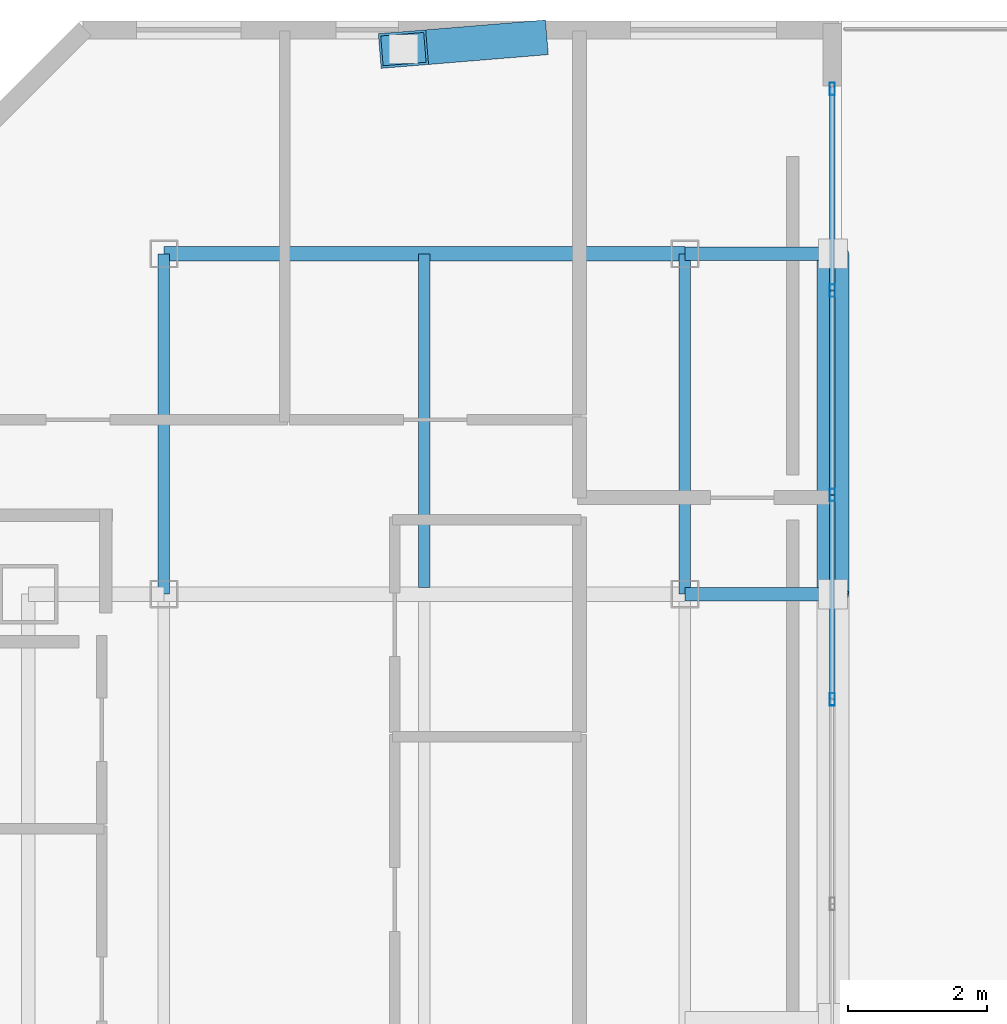
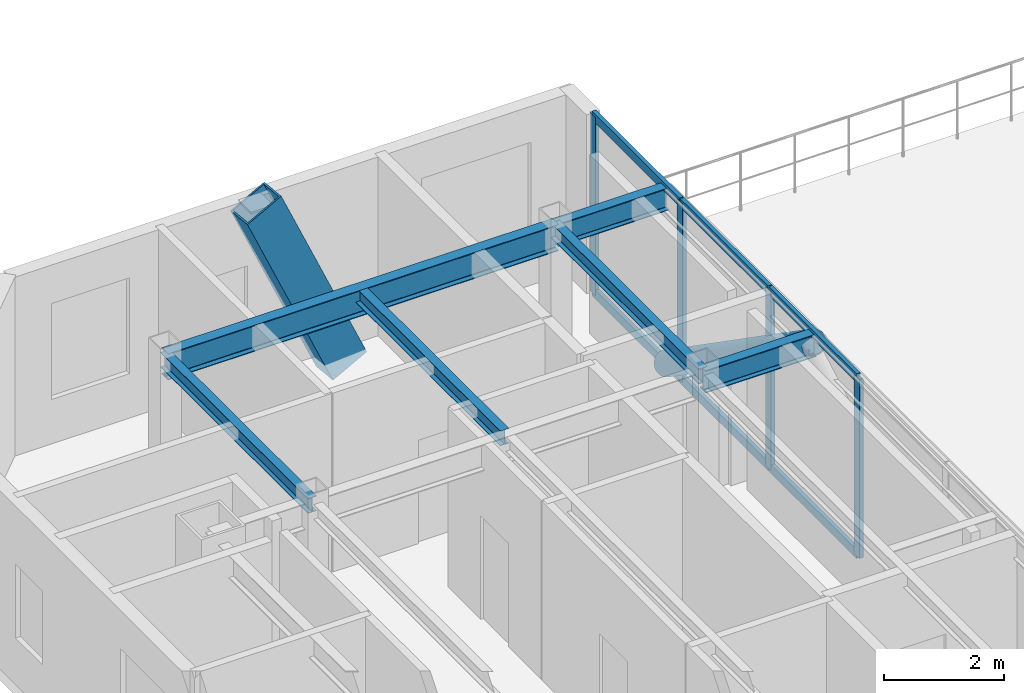
# One storey, part 4 of 14: 12 members, 6 beams, 1 element without a shape of its own.
"""IFC4 building model written with IfcOpenShell, lengths in metres."""

from ifc_helpers import new_model, si_unit, direction, frame, origin, origin_2d, place, context, subcontext, project, spatial, hollow_rectangle, hollow_circle, i_section, extrude, material, material_profile, profile_set, type_object, element, aggregate, save


model = new_model("IFC4")

# Units and contexts
model_context = context("Model", 3, precision=1e-05, world=origin(), true_north=direction((0.0, 1.0)))
body_context = subcontext(model_context, "Body", "Model", "MODEL_VIEW")
ifc_project = project(units=[si_unit("LENGTHUNIT", "METRE"), si_unit("AREAUNIT", "SQUARE_METRE"), si_unit("VOLUMEUNIT", "CUBIC_METRE"), si_unit("PLANEANGLEUNIT", "RADIAN"), si_unit("MASSUNIT", "GRAM", prefix="KILO")], contexts=[model_context])

# Site, building, storey
site_placement = place(None, origin())
site = spatial("IfcSite", under=ifc_project, at=site_placement, CompositionType="ELEMENT")
building_placement = place(site_placement, origin())
building = spatial("IfcBuilding", under=site, at=building_placement, Name="Ventersveld Concourse Tower", CompositionType="ELEMENT")
storey_placement = place(building_placement, frame((0.0, 0.0, 337.5)))
storey = spatial("IfcBuildingStorey", under=building, at=storey_placement, Name="L83", CompositionType="ELEMENT", Elevation=337.5)

# Beams
ifc_material_1 = material(Name="Structural steel S355J2", Category="steel")
ifc_material_profile_1 = material_profile(ifc_material_1, i_section(OverallWidth=0.1650390625, OverallDepth=0.303466796875, WebThickness=0.006103515625, FlangeThickness=0.01025390625, FilletRadius=0.0087890625, at=origin_2d()), Name="UB 305x165x40")
ifc_profile_set_1 = profile_set([ifc_material_profile_1], Name="Structural steel S355J2")
beam_type_1 = type_object("IfcBeamType", Name="BM-UB305", PredefinedType="BEAM", material=ifc_profile_set_1)
beam_1_placement = place(storey_placement, frame((13.75, 23.60009765625, 3.478271484375), z_axis=(0.0, 1.0, 0.0), x_axis=(-1.0, 0.0, 0.0)))
element("IfcBeam", 1, at=beam_1_placement, inside=storey, type_object=beam_type_1, Name="L83 N-S Upper-Zone Floor Beam X=13.75", PredefinedType="BEAM", context=body_context, shape_type="SweptSolid", body=[
    extrude(i_section(OverallWidth=0.1650390625, OverallDepth=0.303466796875, WebThickness=0.006103515625, FlangeThickness=0.01025390625, FilletRadius=0.0087890625, at=origin_2d()), origin(), (0.0, 0.0, 1.0), 4.89990234375),
])
beam_2_placement = place(storey_placement, frame((17.5, 23.695068359375, 3.478271484375), z_axis=(0.0, 1.0, 0.0), x_axis=(-1.0, 0.0, 0.0)))
element("IfcBeam", 2, at=beam_2_placement, inside=storey, type_object=beam_type_1, Name="L83 N-S Upper-Zone Floor Beam X=17.50", PredefinedType="BEAM", context=body_context, shape_type="SweptSolid", body=[
    extrude(i_section(OverallWidth=0.1650390625, OverallDepth=0.303466796875, WebThickness=0.006103515625, FlangeThickness=0.01025390625, FilletRadius=0.0087890625, at=origin_2d()), origin(), (0.0, 0.0, 1.0), 4.804931640625),
])
beam_3_placement = place(storey_placement, frame((21.25, 23.60009765625, 3.478271484375), z_axis=(0.0, 1.0, 0.0), x_axis=(-1.0, 0.0, 0.0)))
element("IfcBeam", 3, at=beam_3_placement, inside=storey, type_object=beam_type_1, Name="L83 N-S Upper-Zone Floor Beam X=21.25", PredefinedType="BEAM", context=body_context, shape_type="SweptSolid", body=[
    extrude(i_section(OverallWidth=0.1650390625, OverallDepth=0.303466796875, WebThickness=0.006103515625, FlangeThickness=0.01025390625, FilletRadius=0.0087890625, at=origin_2d()), origin(), (0.0, 0.0, 1.0), 4.89990234375),
])

# Curtain wall, members
ifc_material_2 = material(Name="Anodised aluminium EN AW-6063-T6", Category="aluminium")
curtain_wall_type = type_object("IfcCurtainWallType", Name="CW-WP-5", PredefinedType="NOTDEFINED", material=ifc_material_2)
curtain_wall_placement = place(storey_placement, origin())
curtain_wall = element("IfcCurtainWall", 4, at=curtain_wall_placement, inside=storey, type_object=curtain_wall_type, Name="L83 L83 Wind Portal Aerodynamic Cheek Curtain Wall", PredefinedType="NOTDEFINED")
ifc_material_profile_2 = material_profile(ifc_material_2, hollow_rectangle(XDim=0.074951171875, YDim=0.179931640625, WallThickness=0.00390625, at=origin_2d()), Name="ALU 180x75x4")
ifc_profile_set_2 = profile_set([ifc_material_profile_2], Name="Anodised aluminium EN AW-6063-T6")
member_type_1 = type_object("IfcMemberType", Name="CWM-180x75", PredefinedType="MULLION", material=ifc_profile_set_2)
member_1_placement = place(storey_placement, frame((23.3701171875, 22.08544921875, 0.0), z_axis=(0.0, 0.0, 1.0), x_axis=(1.0, 0.0, 0.0)))
member_1 = element("IfcMember", 5, at=member_1_placement, type_object=member_type_1, Name="CW-L83-WP-W Mullion 03", PredefinedType="MULLION", context=body_context, shape_type="SweptSolid", body=[
    extrude(hollow_rectangle(XDim=0.074951171875, YDim=0.179931640625, WallThickness=0.00390625, at=origin_2d()), origin(), (0.0, 0.0, 1.0), 3.6298828125),
])
member_2_placement = place(storey_placement, frame((23.3701171875, 25.0283203125, 0.0), z_axis=(0.0, 0.0, 1.0), x_axis=(1.0, 0.0, 0.0)))
member_2 = element("IfcMember", 6, at=member_2_placement, type_object=member_type_1, Name="CW-L83-WP-W Mullion 04", PredefinedType="MULLION", context=body_context, shape_type="SweptSolid", body=[
    extrude(hollow_rectangle(XDim=0.074951171875, YDim=0.179931640625, WallThickness=0.00390625, at=origin_2d()), origin(), (0.0, 0.0, 1.0), 3.6298828125),
])
member_3_placement = place(storey_placement, frame((23.3701171875, 27.970947265625, 0.0), z_axis=(0.0, 0.0, 1.0), x_axis=(1.0, 0.0, 0.0)))
member_3 = element("IfcMember", 7, at=member_3_placement, type_object=member_type_1, Name="CW-L83-WP-W Mullion 05", PredefinedType="MULLION", context=body_context, shape_type="SweptSolid", body=[
    extrude(hollow_rectangle(XDim=0.074951171875, YDim=0.179931640625, WallThickness=0.00390625, at=origin_2d()), origin(), (0.0, 0.0, 1.0), 3.6298828125),
])
member_4_placement = place(storey_placement, frame((23.3701171875, 30.873779296875, 0.0), z_axis=(0.0, 0.0, 1.0), x_axis=(1.0, 0.0, 0.0)))
member_4 = element("IfcMember", 8, at=member_4_placement, type_object=member_type_1, Name="CW-L83-WP-W Mullion 06", PredefinedType="MULLION", context=body_context, shape_type="SweptSolid", body=[
    extrude(hollow_rectangle(XDim=0.074951171875, YDim=0.179931640625, WallThickness=0.00390625, at=origin_2d()), origin(), (0.0, 0.0, 1.0), 3.6298828125),
])
ifc_material_profile_3 = material_profile(ifc_material_2, hollow_rectangle(XDim=0.074951171875, YDim=0.179931640625, WallThickness=0.00390625, at=origin_2d()), Name="ALU 180x75x4")
ifc_profile_set_3 = profile_set([ifc_material_profile_3], Name="Anodised aluminium EN AW-6063-T6")
member_type_2 = type_object("IfcMemberType", Name="CWT-180x75", PredefinedType="USERDEFINED", material=ifc_profile_set_3)
member_5_placement = place(storey_placement, frame((23.3701171875, 22.095458984375, 0.030029296875), z_axis=(0.0, 1.0, 0.0), x_axis=(-1.0, 0.0, 0.0)))
member_5 = element("IfcMember", 9, at=member_5_placement, type_object=member_type_2, Name="CW-L83-WP-W Transom 1-03", ObjectType="TRANSOM", PredefinedType="USERDEFINED", context=body_context, shape_type="SweptSolid", body=[
    extrude(hollow_rectangle(XDim=0.074951171875, YDim=0.179931640625, WallThickness=0.00390625, at=origin_2d()), origin(), (0.0, 0.0, 1.0), 2.9228515625),
])
member_6_placement = place(storey_placement, frame((23.3701171875, 25.038330078125, 0.030029296875), z_axis=(0.0, 1.0, 0.0), x_axis=(-1.0, 0.0, 0.0)))
member_6 = element("IfcMember", 10, at=member_6_placement, type_object=member_type_2, Name="CW-L83-WP-W Transom 1-04", ObjectType="TRANSOM", PredefinedType="USERDEFINED", context=body_context, shape_type="SweptSolid", body=[
    extrude(hollow_rectangle(XDim=0.074951171875, YDim=0.179931640625, WallThickness=0.00390625, at=origin_2d()), origin(), (0.0, 0.0, 1.0), 2.922607421875),
])
member_7_placement = place(storey_placement, frame((23.3701171875, 27.98095703125, 0.030029296875), z_axis=(0.0, 1.0, 0.0), x_axis=(-1.0, 0.0, 0.0)))
member_7 = element("IfcMember", 11, at=member_7_placement, type_object=member_type_2, Name="CW-L83-WP-W Transom 1-05", ObjectType="TRANSOM", PredefinedType="USERDEFINED", context=body_context, shape_type="SweptSolid", body=[
    extrude(hollow_rectangle(XDim=0.074951171875, YDim=0.179931640625, WallThickness=0.00390625, at=origin_2d()), origin(), (0.0, 0.0, 1.0), 2.912841796875),
])
member_8_placement = place(storey_placement, frame((23.3701171875, 22.095458984375, 3.60009765625), z_axis=(0.0, 1.0, 0.0), x_axis=(-1.0, 0.0, 0.0)))
member_8 = element("IfcMember", 12, at=member_8_placement, type_object=member_type_2, Name="CW-L83-WP-W Transom 2-03", ObjectType="TRANSOM", PredefinedType="USERDEFINED", context=body_context, shape_type="SweptSolid", body=[
    extrude(hollow_rectangle(XDim=0.074951171875, YDim=0.179931640625, WallThickness=0.00390625, at=origin_2d()), origin(), (0.0, 0.0, 1.0), 2.9228515625),
])
member_9_placement = place(storey_placement, frame((23.3701171875, 25.038330078125, 3.60009765625), z_axis=(0.0, 1.0, 0.0), x_axis=(-1.0, 0.0, 0.0)))
member_9 = element("IfcMember", 13, at=member_9_placement, type_object=member_type_2, Name="CW-L83-WP-W Transom 2-04", ObjectType="TRANSOM", PredefinedType="USERDEFINED", context=body_context, shape_type="SweptSolid", body=[
    extrude(hollow_rectangle(XDim=0.074951171875, YDim=0.179931640625, WallThickness=0.00390625, at=origin_2d()), origin(), (0.0, 0.0, 1.0), 2.922607421875),
])
member_10_placement = place(storey_placement, frame((23.3701171875, 27.98095703125, 3.60009765625), z_axis=(0.0, 1.0, 0.0), x_axis=(-1.0, 0.0, 0.0)))
member_10 = element("IfcMember", 14, at=member_10_placement, type_object=member_type_2, Name="CW-L83-WP-W Transom 2-05", ObjectType="TRANSOM", PredefinedType="USERDEFINED", context=body_context, shape_type="SweptSolid", body=[
    extrude(hollow_rectangle(XDim=0.074951171875, YDim=0.179931640625, WallThickness=0.00390625, at=origin_2d()), origin(), (0.0, 0.0, 1.0), 2.912841796875),
])
aggregate(curtain_wall, [member_1, member_2, member_3, member_4, member_5, member_6, member_7, member_8, member_9, member_10])

# Beam
ifc_material_profile_4 = material_profile(ifc_material_1, i_section(OverallWidth=0.209228515625, OverallDepth=0.533203125, WebThickness=0.010009765625, FlangeThickness=0.015625, FilletRadius=0.0126953125, at=origin_2d()), Name="UB 533x210x92")
ifc_profile_set_4 = profile_set([ifc_material_profile_4], Name="Structural steel S355J2")
beam_type_2 = type_object("IfcBeamType", Name="GRD-UB533", PredefinedType="T_BEAM", material=ifc_profile_set_4)
beam_4_placement = place(storey_placement, frame((13.75, 28.5, 3.363525390625), z_axis=(1.0, 0.0, 0.0), x_axis=(0.0, 1.0, 0.0)))
element("IfcBeam", 15, at=beam_4_placement, inside=storey, type_object=beam_type_2, Name="L83 North Girder Y=28.50 W", PredefinedType="T_BEAM", context=body_context, shape_type="SweptSolid", body=[
    extrude(i_section(OverallWidth=0.209228515625, OverallDepth=0.533203125, WebThickness=0.010009765625, FlangeThickness=0.015625, FilletRadius=0.0126953125, at=origin_2d()), origin(), (0.0, 0.0, 1.0), 7.5),
])

# Member
ifc_material_3 = material(Name="Structural steel S355ML", Category="steel")
ifc_material_profile_5 = material_profile(ifc_material_3, hollow_rectangle(XDim=0.5, YDim=0.75, WallThickness=0.034912109375, at=origin_2d()), Name="BOX 750x500x35")
ifc_profile_set_5 = profile_set([ifc_material_profile_5], Name="Structural steel S355ML")
member_type_3 = type_object("IfcMemberType", Name="MB-750x500", PredefinedType="BRACE", material=ifc_profile_set_5)
member_11_placement = place(storey_placement, frame((18.921630859375, 31.587890625, -0.219970703125), z_axis=(-0.408446100933, -0.03360815531, 0.912163513044), x_axis=(0.082005821426, -0.99663185041, 0.0)))
element("IfcMember", 16, at=member_11_placement, inside=storey, type_object=member_type_3, Name="L83 Exterior Mega-Brace N (Module M20)", PredefinedType="BRACE", context=body_context, shape_type="SweptSolid", body=[
    extrude(hollow_rectangle(XDim=0.5, YDim=0.75, WallThickness=0.034912109375, at=origin_2d()), origin(), (0.0, 0.0, 1.0), 4.220458984375),
])

# Beams
ifc_material_profile_6 = material_profile(ifc_material_1, i_section(OverallWidth=0.19140625, OverallDepth=0.4599609375, WebThickness=0.010009765625, FlangeThickness=0.01611328125, FilletRadius=0.01025390625, at=origin_2d()), Name="UB 457x191x82")
ifc_profile_set_6 = profile_set([ifc_material_profile_6], Name="Structural steel S355J2")
beam_type_3 = type_object("IfcBeamType", Name="SPD-UB457", PredefinedType="SPANDREL", material=ifc_profile_set_6)
for number, where, z_axis, x_axis, name in (
    (17, (21.25, 23.60009765625, 3.39990234375), (1.0, 0.0, 0.0), (0.0, 1.0, 0.0), "L83 Wind Portal West Tie YD"),
    (18, (21.25, 28.5, 3.39990234375), (1.0, 0.0, 0.0), (0.0, 1.0, 0.0), "L83 Wind Portal West Tie YN"),
):
    element("IfcBeam", number, at=place(storey_placement, frame(where, z_axis=z_axis, x_axis=x_axis)), inside=storey, type_object=beam_type_3, Name=name, PredefinedType="SPANDREL", context=body_context, shape_type="SweptSolid", body=[
        extrude(i_section(OverallWidth=0.19140625, OverallDepth=0.4599609375, WebThickness=0.010009765625, FlangeThickness=0.01611328125, FilletRadius=0.01025390625, at=origin_2d()), origin(), (0.0, 0.0, 1.0), 2.1298828125),
    ])

# Member
ifc_material_profile_7 = material_profile(ifc_material_3, hollow_circle(Radius=0.228515625, WallThickness=0.02001953125, at=origin_2d()), Name="CHS 457x20")
ifc_profile_set_7 = profile_set([ifc_material_profile_7], Name="Structural steel S355ML")
member_type_4 = type_object("IfcMemberType", Name="STR-WP-457", PredefinedType="STRUT", material=ifc_profile_set_7)
member_12_placement = place(storey_placement, frame((23.3798828125, 28.5, 0.0), z_axis=(0.0, -0.820804326892, 0.571209468545), x_axis=(1.0, 0.0, 0.0)))
element("IfcMember", 19, at=member_12_placement, inside=storey, type_object=member_type_4, Name="L83 Wind Portal Edge Brace Strut W2", PredefinedType="STRUT", context=body_context, shape_type="SweptSolid", body=[
    extrude(hollow_circle(Radius=0.228515625, WallThickness=0.02001953125, at=origin_2d()), origin(), (0.0, 0.0, 1.0), 5.9697265625),
])

save(model, "model.ifc")
